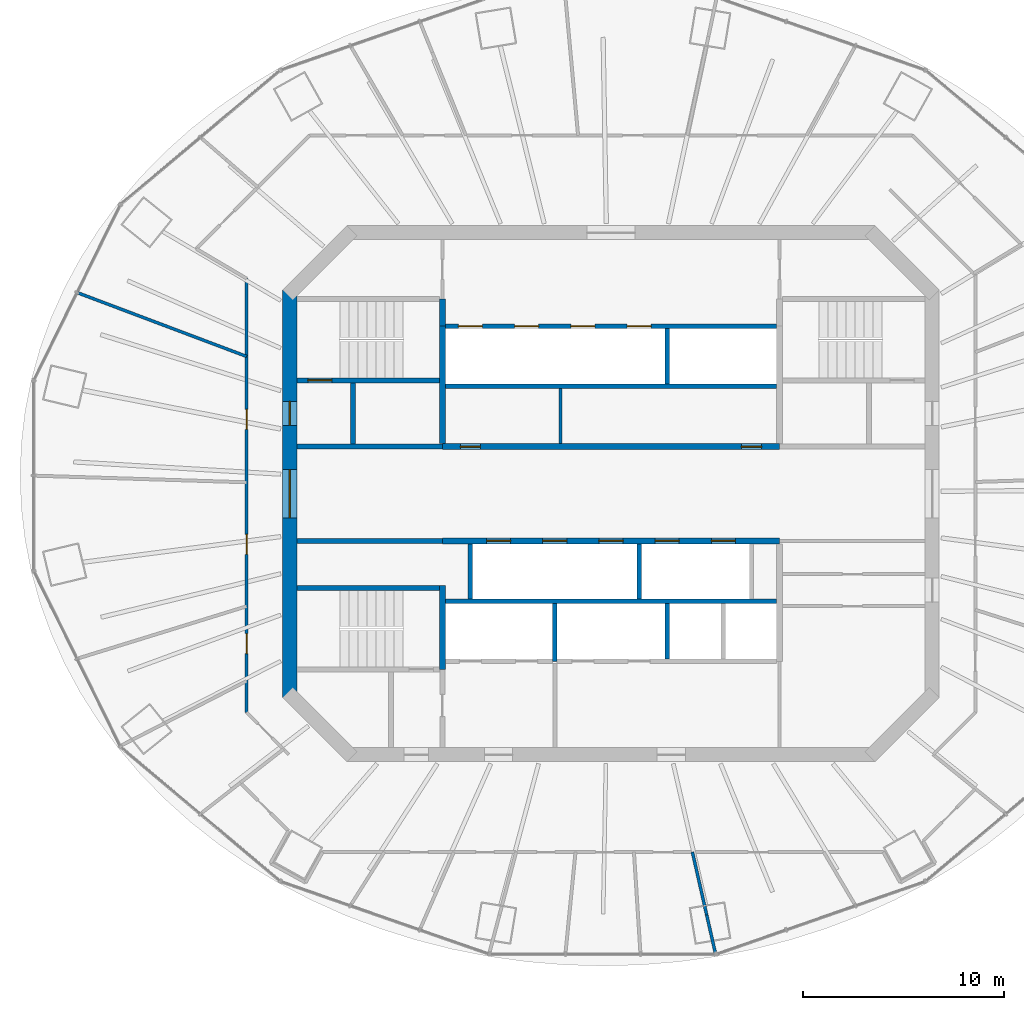
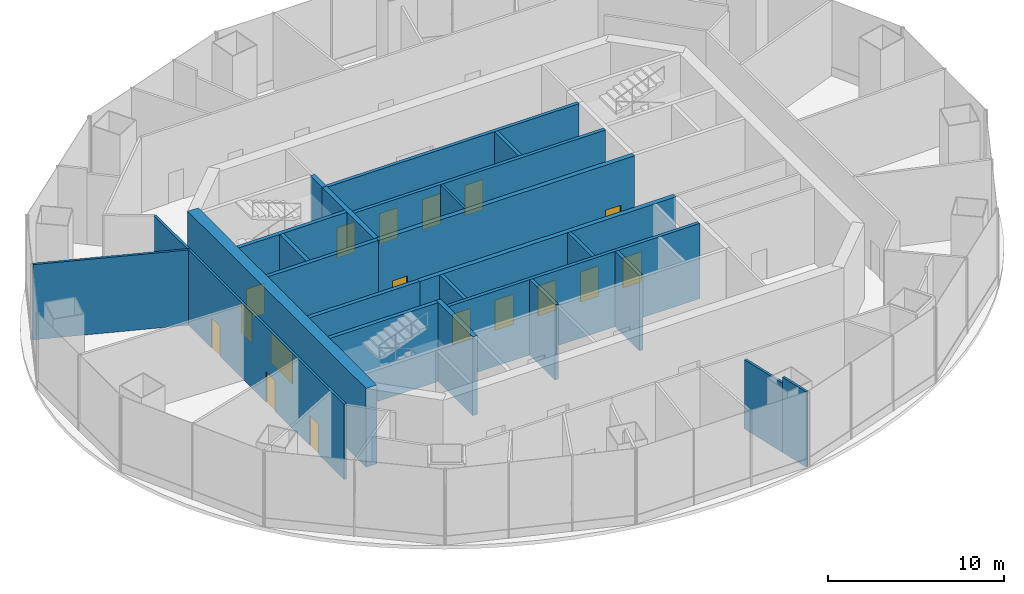
# One storey, part 9 of 12: 24 walls, 17 doors, 17 openings.
"""IFC4 building model written with IfcOpenShell, lengths in metres."""

from ifc_helpers import new_model, si_unit, direction, frame, frame_2d, origin, place, context, subcontext, project, spatial, rectangle, extrude, material, layer, layer_set, type_object, element, fill, save


model = new_model("IFC4")

# Units and contexts
model_context = context("Model", 3, precision=1e-05, world=origin(), true_north=direction((0.0, 1.0)))
body_context = subcontext(model_context, "Body", "Model", "MODEL_VIEW")
ifc_project = project(units=[si_unit("LENGTHUNIT", "METRE"), si_unit("AREAUNIT", "SQUARE_METRE"), si_unit("VOLUMEUNIT", "CUBIC_METRE"), si_unit("PLANEANGLEUNIT", "RADIAN"), si_unit("MASSUNIT", "GRAM", prefix="KILO")], contexts=[model_context])

# Site, building, storey
site_placement = place(None, origin())
site = spatial("IfcSite", under=ifc_project, at=site_placement, CompositionType="ELEMENT")
building_placement = place(site_placement, origin())
building = spatial("IfcBuilding", under=site, at=building_placement, Name="Marenthal Gate Tower", CompositionType="ELEMENT")
storey_placement = place(building_placement, frame((0.0, 0.0, 279.10009765625)))
storey = spatial("IfcBuildingStorey", under=building, at=storey_placement, Name="L62", CompositionType="ELEMENT", Elevation=279.10009765625)

# Wall, openings, doors
ifc_material_1 = material(Name="Concrete 60 MPa", Category="concrete")
ifc_layer_1 = layer(ifc_material_1, 0.699951171875)
ifc_layer_set_1 = layer_set([ifc_layer_1], Name="Core shear wall 700")
wall_type_1 = type_object("IfcWallType", Name="Core shear wall 700", PredefinedType="SHEAR", material=ifc_layer_set_1)
wall_1_placement = place(storey_placement, frame((-16.0, 10.14501953125, -0.25), z_axis=(0.0, 0.0, 1.0), x_axis=(0.0, -1.0, 0.0)))
wall_1 = element("IfcWall", 1, at=wall_1_placement, inside=storey, type_object=wall_type_1, Name="Core wall 06", PredefinedType="SHEAR", context=body_context, shape_type="SweptSolid", body=[
    extrude(rectangle(XDim=20.2900390625, YDim=0.699951171875, at=frame_2d((10.14501953125, 0.0))), origin(), (0.0, 0.0, 1.0), 5.469970703125),
])
opening_1_placement = place(wall_1_placement, frame((8.945068359375, 0.0, 0.25)))
opening_1 = element("IfcOpeningElement", 2, at=opening_1_placement, cuts=wall_1, Name="Opening D003.01", PredefinedType="OPENING", context=body_context, shape_type="SweptSolid", body=[
    extrude(rectangle(XDim=2.39990234375, YDim=2.10009765625, at=frame_2d((1.199951171875, 1.050048828125))), frame((0.0, 0.35986328125, 0.0), z_axis=(0.0, -1.0, 0.0), x_axis=(1.0, 0.0, 0.0)), (0.0, 0.0, 1.0), 0.719970703125),
])
opening_2_placement = place(wall_1_placement, frame((5.544921875, 0.0, 0.25)))
opening_2 = element("IfcOpeningElement", 3, at=opening_2_placement, cuts=wall_1, Name="Opening D001.04", PredefinedType="OPENING", context=body_context, shape_type="SweptSolid", body=[
    extrude(rectangle(XDim=1.199951171875, YDim=2.10009765625, at=frame_2d((0.60009765625, 1.050048828125))), frame((0.0, 0.35986328125, 0.0), z_axis=(0.0, -1.0, 0.0), x_axis=(1.0, 0.0, 0.0)), (0.0, 0.0, 1.0), 0.719970703125),
])
ifc_material_2 = material(Name="Steel fire door", Category="steel")
door_type_1 = type_object("IfcDoorType", Name="Double fire door FD 45 2400 x 2100", OperationType="DOUBLE_DOOR_SINGLE_SWING", PredefinedType="DOOR", material=ifc_material_2)
door_1_placement = place(opening_1_placement, origin())
door_1 = element("IfcDoor", 4, at=door_1_placement, inside=storey, type_object=door_type_1, Name="Door D003.01", OperationType="DOUBLE_DOOR_SINGLE_SWING", OverallHeight=2.10009765625, OverallWidth=2.39990234375, PredefinedType="DOOR", context=body_context, shape_type="SweptSolid", body=[
    extrude(rectangle(XDim=2.39990234375, YDim=2.10009765625, at=frame_2d((1.199951171875, 1.050048828125))), frame((0.0, 0.02490234375, 0.0), z_axis=(0.0, -1.0, 0.0), x_axis=(1.0, 0.0, 0.0)), (0.0, 0.0, 1.0), 0.050048828125),
])
fill(opening_1, door_1)
ifc_material_3 = material(Name="Steel fire door", Category="steel")
door_type_2 = type_object("IfcDoorType", Name="Fire door FD 90 1200 x 2100", OperationType="NOTDEFINED", PredefinedType="DOOR", material=ifc_material_3)
door_2_placement = place(opening_2_placement, origin())
door_2 = element("IfcDoor", 5, at=door_2_placement, inside=storey, type_object=door_type_2, Name="Door D001.04", OperationType="SINGLE_SWING_RIGHT", OverallHeight=2.10009765625, OverallWidth=1.199951171875, PredefinedType="DOOR", context=body_context, shape_type="SweptSolid", body=[
    extrude(rectangle(XDim=1.199951171875, YDim=2.10009765625, at=frame_2d((0.60009765625, 1.050048828125))), frame((0.0, 0.02490234375, 0.0), z_axis=(0.0, -1.0, 0.0), x_axis=(1.0, 0.0, 0.0)), (0.0, 0.0, 1.0), 0.050048828125),
])
fill(opening_2, door_2)

ifc_material_4 = material(Name="Concrete 50 MPa", Category="concrete")
ifc_layer_2 = layer(ifc_material_4, 0.300048828125)
ifc_layer_set_2 = layer_set([ifc_layer_2], Name="Hoistway shear wall 300")
wall_type_2 = type_object("IfcWallType", Name="Hoistway shear wall 300", PredefinedType="SHEAR", material=ifc_layer_set_2)
wall_2_placement = place(storey_placement, frame((-8.39990234375, -2.35009765625, -0.25), z_axis=(0.0, 0.0, 1.0), x_axis=(1.0, 0.0, 0.0)))
wall_2 = element("IfcWall", 6, at=wall_2_placement, inside=storey, type_object=wall_type_2, Name="Hoistway wall 17", PredefinedType="SHEAR", context=body_context, shape_type="SweptSolid", body=[
    extrude(rectangle(XDim=16.7998046875, YDim=0.300048828125, at=frame_2d((8.39990234375, 0.0))), origin(), (0.0, 0.0, 1.0), 5.469970703125),
])
opening_3_placement = place(wall_2_placement, frame((2.199951171875, 0.0, 0.25)))
opening_3 = element("IfcOpeningElement", 7, at=opening_3_placement, cuts=wall_2, Name="Opening LD-HP1", PredefinedType="OPENING", context=body_context, shape_type="SweptSolid", body=[
    extrude(rectangle(XDim=1.199951171875, YDim=2.10009765625, at=frame_2d((0.60009765625, 1.050048828125))), frame((0.0, 0.16015625, 0.0), z_axis=(0.0, -1.0, 0.0), x_axis=(1.0, 0.0, 0.0)), (0.0, 0.0, 1.0), 0.320068359375),
])
opening_4_placement = place(wall_2_placement, frame((5.0, 0.0, 0.25)))
opening_4 = element("IfcOpeningElement", 8, at=opening_4_placement, cuts=wall_2, Name="Opening LD-HP2", PredefinedType="OPENING", context=body_context, shape_type="SweptSolid", body=[
    extrude(rectangle(XDim=1.199951171875, YDim=2.10009765625, at=frame_2d((0.60009765625, 1.050048828125))), frame((0.0, 0.16015625, 0.0), z_axis=(0.0, -1.0, 0.0), x_axis=(1.0, 0.0, 0.0)), (0.0, 0.0, 1.0), 0.320068359375),
])
opening_5_placement = place(wall_2_placement, frame((7.800048828125, 0.0, 0.25)))
opening_5 = element("IfcOpeningElement", 9, at=opening_5_placement, cuts=wall_2, Name="Opening LD-HP3", PredefinedType="OPENING", context=body_context, shape_type="SweptSolid", body=[
    extrude(rectangle(XDim=1.199951171875, YDim=2.10009765625, at=frame_2d((0.60009765625, 1.050048828125))), frame((0.0, 0.16015625, 0.0), z_axis=(0.0, -1.0, 0.0), x_axis=(1.0, 0.0, 0.0)), (0.0, 0.0, 1.0), 0.320068359375),
])
opening_6_placement = place(wall_2_placement, frame((10.60009765625, 0.0, 0.25)))
opening_6 = element("IfcOpeningElement", 10, at=opening_6_placement, cuts=wall_2, Name="Opening LD-HP4", PredefinedType="OPENING", context=body_context, shape_type="SweptSolid", body=[
    extrude(rectangle(XDim=1.199951171875, YDim=2.10009765625, at=frame_2d((0.60009765625, 1.050048828125))), frame((0.0, 0.16015625, 0.0), z_axis=(0.0, -1.0, 0.0), x_axis=(1.0, 0.0, 0.0)), (0.0, 0.0, 1.0), 0.320068359375),
])
opening_7_placement = place(wall_2_placement, frame((13.39990234375, 0.0, 0.25)))
opening_7 = element("IfcOpeningElement", 11, at=opening_7_placement, cuts=wall_2, Name="Opening LD-HP5", PredefinedType="OPENING", context=body_context, shape_type="SweptSolid", body=[
    extrude(rectangle(XDim=1.199951171875, YDim=2.10009765625, at=frame_2d((0.60009765625, 1.050048828125))), frame((0.0, 0.16015625, 0.0), z_axis=(0.0, -1.0, 0.0), x_axis=(1.0, 0.0, 0.0)), (0.0, 0.0, 1.0), 0.320068359375),
])
ifc_material_5 = material(Name="Stainless steel sliding door", Category="steel")
door_type_3 = type_object("IfcDoorType", Name="Lift landing door FD 90 1200 x 2100", OperationType="DOUBLE_DOOR_SLIDING", PredefinedType="DOOR", material=ifc_material_5)
door_3_placement = place(opening_3_placement, origin())
door_3 = element("IfcDoor", 12, at=door_3_placement, inside=storey, type_object=door_type_3, Name="Lift landing door HP1", OperationType="DOUBLE_DOOR_SLIDING", OverallHeight=2.10009765625, OverallWidth=1.199951171875, PredefinedType="DOOR", context=body_context, shape_type="SweptSolid", body=[
    extrude(rectangle(XDim=1.199951171875, YDim=2.10009765625, at=frame_2d((0.60009765625, 1.050048828125))), frame((0.0, 0.02490234375, 0.0), z_axis=(0.0, -1.0, 0.0), x_axis=(1.0, 0.0, 0.0)), (0.0, 0.0, 1.0), 0.050048828125),
])
fill(opening_3, door_3)
door_4_placement = place(opening_4_placement, origin())
door_4 = element("IfcDoor", 13, at=door_4_placement, inside=storey, type_object=door_type_3, Name="Lift landing door HP2", OperationType="DOUBLE_DOOR_SLIDING", OverallHeight=2.10009765625, OverallWidth=1.199951171875, PredefinedType="DOOR", context=body_context, shape_type="SweptSolid", body=[
    extrude(rectangle(XDim=1.199951171875, YDim=2.10009765625, at=frame_2d((0.60009765625, 1.050048828125))), frame((0.0, 0.02490234375, 0.0), z_axis=(0.0, -1.0, 0.0), x_axis=(1.0, 0.0, 0.0)), (0.0, 0.0, 1.0), 0.050048828125),
])
fill(opening_4, door_4)
door_5_placement = place(opening_5_placement, origin())
door_5 = element("IfcDoor", 14, at=door_5_placement, inside=storey, type_object=door_type_3, Name="Lift landing door HP3", OperationType="DOUBLE_DOOR_SLIDING", OverallHeight=2.10009765625, OverallWidth=1.199951171875, PredefinedType="DOOR", context=body_context, shape_type="SweptSolid", body=[
    extrude(rectangle(XDim=1.199951171875, YDim=2.10009765625, at=frame_2d((0.60009765625, 1.050048828125))), frame((0.0, 0.02490234375, 0.0), z_axis=(0.0, -1.0, 0.0), x_axis=(1.0, 0.0, 0.0)), (0.0, 0.0, 1.0), 0.050048828125),
])
fill(opening_5, door_5)
door_6_placement = place(opening_6_placement, origin())
door_6 = element("IfcDoor", 15, at=door_6_placement, inside=storey, type_object=door_type_3, Name="Lift landing door HP4", OperationType="DOUBLE_DOOR_SLIDING", OverallHeight=2.10009765625, OverallWidth=1.199951171875, PredefinedType="DOOR", context=body_context, shape_type="SweptSolid", body=[
    extrude(rectangle(XDim=1.199951171875, YDim=2.10009765625, at=frame_2d((0.60009765625, 1.050048828125))), frame((0.0, 0.02490234375, 0.0), z_axis=(0.0, -1.0, 0.0), x_axis=(1.0, 0.0, 0.0)), (0.0, 0.0, 1.0), 0.050048828125),
])
fill(opening_6, door_6)
door_7_placement = place(opening_7_placement, origin())
door_7 = element("IfcDoor", 16, at=door_7_placement, inside=storey, type_object=door_type_3, Name="Lift landing door HP5", OperationType="DOUBLE_DOOR_SLIDING", OverallHeight=2.10009765625, OverallWidth=1.199951171875, PredefinedType="DOOR", context=body_context, shape_type="SweptSolid", body=[
    extrude(rectangle(XDim=1.199951171875, YDim=2.10009765625, at=frame_2d((0.60009765625, 1.050048828125))), frame((0.0, 0.02490234375, 0.0), z_axis=(0.0, -1.0, 0.0), x_axis=(1.0, 0.0, 0.0)), (0.0, 0.0, 1.0), 0.050048828125),
])
fill(opening_7, door_7)

wall_3_placement = place(storey_placement, frame((-8.39990234375, 2.35009765625, -0.25), z_axis=(0.0, 0.0, 1.0), x_axis=(1.0, 0.0, 0.0)))
wall_3 = element("IfcWall", 17, at=wall_3_placement, inside=storey, type_object=wall_type_2, Name="Hoistway wall 20", PredefinedType="SHEAR", context=body_context, shape_type="SweptSolid", body=[
    extrude(rectangle(XDim=16.7998046875, YDim=0.300048828125, at=frame_2d((8.39990234375, 0.0))), origin(), (0.0, 0.0, 1.0), 5.469970703125),
])
opening_8_placement = place(wall_3_placement, frame((0.89990234375, 0.0, 0.25)))
opening_8 = element("IfcOpeningElement", 18, at=opening_8_placement, cuts=wall_3, Name="Opening D005.01", PredefinedType="OPENING", context=body_context, shape_type="SweptSolid", body=[
    extrude(rectangle(XDim=1.0, YDim=2.10009765625, at=frame_2d((0.5, 1.050048828125))), frame((0.0, 0.16015625, 0.0), z_axis=(0.0, -1.0, 0.0), x_axis=(1.0, 0.0, 0.0)), (0.0, 0.0, 1.0), 0.320068359375),
])
opening_9_placement = place(wall_3_placement, frame((14.89990234375, 0.0, 0.25)))
opening_9 = element("IfcOpeningElement", 19, at=opening_9_placement, cuts=wall_3, Name="Opening D005.02", PredefinedType="OPENING", context=body_context, shape_type="SweptSolid", body=[
    extrude(rectangle(XDim=1.0, YDim=2.10009765625, at=frame_2d((0.5, 1.050048828125))), frame((0.0, 0.16015625, 0.0), z_axis=(0.0, -1.0, 0.0), x_axis=(1.0, 0.0, 0.0)), (0.0, 0.0, 1.0), 0.320068359375),
])
ifc_material_6 = material(Name="Steel fire door", Category="steel")
door_type_4 = type_object("IfcDoorType", Name="Fire door FD 45 1000 x 2100", OperationType="NOTDEFINED", PredefinedType="DOOR", material=ifc_material_6)
door_8_placement = place(opening_8_placement, origin())
door_8 = element("IfcDoor", 20, at=door_8_placement, inside=storey, type_object=door_type_4, Name="Door D005.01", OperationType="SINGLE_SWING_RIGHT", OverallHeight=2.10009765625, OverallWidth=1.0, PredefinedType="DOOR", context=body_context, shape_type="SweptSolid", body=[
    extrude(rectangle(XDim=1.0, YDim=2.10009765625, at=frame_2d((0.5, 1.050048828125))), frame((0.0, 0.02490234375, 0.0), z_axis=(0.0, -1.0, 0.0), x_axis=(1.0, 0.0, 0.0)), (0.0, 0.0, 1.0), 0.050048828125),
])
fill(opening_8, door_8)
door_9_placement = place(opening_9_placement, origin())
door_9 = element("IfcDoor", 21, at=door_9_placement, inside=storey, type_object=door_type_4, Name="Door D005.02", OperationType="SINGLE_SWING_RIGHT", OverallHeight=2.10009765625, OverallWidth=1.0, PredefinedType="DOOR", context=body_context, shape_type="SweptSolid", body=[
    extrude(rectangle(XDim=1.0, YDim=2.10009765625, at=frame_2d((0.5, 1.050048828125))), frame((0.0, 0.02490234375, 0.0), z_axis=(0.0, -1.0, 0.0), x_axis=(1.0, 0.0, 0.0)), (0.0, 0.0, 1.0), 0.050048828125),
])
fill(opening_9, door_9)

# Walls
wall_4_placement = place(storey_placement, frame((-8.39990234375, -8.75, -0.25), z_axis=(0.0, 0.0, 1.0), x_axis=(0.0, 1.0, 0.0)))
element("IfcWall", 22, at=wall_4_placement, inside=storey, type_object=wall_type_2, Name="Hoistway wall 31", PredefinedType="SHEAR", context=body_context, shape_type="SweptSolid", body=[
    extrude(rectangle(XDim=4.175048828125, YDim=0.300048828125, at=frame_2d((2.08740234375, 0.0))), origin(), (0.0, 0.0, 1.0), 5.469970703125),
])
wall_5_placement = place(storey_placement, frame((-8.39990234375, 2.5, -0.25), z_axis=(0.0, 0.0, 1.0), x_axis=(0.0, 1.0, 0.0)))
element("IfcWall", 23, at=wall_5_placement, inside=storey, type_object=wall_type_2, Name="Hoistway wall 32", PredefinedType="SHEAR", context=body_context, shape_type="SweptSolid", body=[
    extrude(rectangle(XDim=5.85009765625, YDim=0.300048828125, at=frame_2d((2.925048828125, 0.0))), origin(), (0.0, 0.0, 1.0), 5.469970703125),
])
ifc_material_7 = material(Name="Concrete 40 MPa", Category="concrete")
ifc_layer_3 = layer(ifc_material_7, 0.219970703125)
ifc_layer_set_3 = layer_set([ifc_layer_3], Name="Hoistway wall 220")
wall_type_3 = type_object("IfcWallType", Name="Hoistway wall 220", PredefinedType="STANDARD", material=ifc_layer_set_3)
for number, where, z_axis, x_axis, name in (
    (24, (-8.25, -5.35009765625, 0.0), (0.0, 0.0, 1.0), (1.0, 0.0, 0.0), "Hoistway wall 13"),
    (25, (-8.25, 5.35009765625, 0.0), (0.0, 0.0, 1.0), (1.0, 0.0, 0.0), "Hoistway wall 22"),
):
    element("IfcWall", number, at=place(storey_placement, frame(where, z_axis=z_axis, x_axis=x_axis)), inside=storey, type_object=wall_type_3, Name=name, PredefinedType="STANDARD", context=body_context, shape_type="SweptSolid", body=[
        extrude(rectangle(XDim=16.5, YDim=0.219970703125, at=frame_2d((8.25, 0.0))), origin(), (0.0, 0.0, 1.0), 5.219970703125),
    ])

# Wall, openings, doors
wall_6_placement = place(storey_placement, frame((-8.25, 8.35009765625, 0.0), z_axis=(0.0, 0.0, 1.0), x_axis=(1.0, 0.0, 0.0)))
wall_6 = element("IfcWall", 26, at=wall_6_placement, inside=storey, type_object=wall_type_3, Name="Hoistway wall 25", PredefinedType="STANDARD", context=body_context, shape_type="SweptSolid", body=[
    extrude(rectangle(XDim=16.5, YDim=0.219970703125, at=frame_2d((8.25, 0.0))), origin(), (0.0, 0.0, 1.0), 5.219970703125),
])
opening_10_placement = place(wall_6_placement, frame((0.64990234375, 0.0, 0.0)))
opening_10 = element("IfcOpeningElement", 27, at=opening_10_placement, cuts=wall_6, Name="Opening LD-SH1", PredefinedType="OPENING", context=body_context, shape_type="SweptSolid", body=[
    extrude(rectangle(XDim=1.199951171875, YDim=2.10009765625, at=frame_2d((0.60009765625, 1.050048828125))), frame((0.0, 0.1201171875, 0.0), z_axis=(0.0, -1.0, 0.0), x_axis=(1.0, 0.0, 0.0)), (0.0, 0.0, 1.0), 0.239990234375),
])
opening_11_placement = place(wall_6_placement, frame((3.449951171875, 0.0, 0.0)))
opening_11 = element("IfcOpeningElement", 28, at=opening_11_placement, cuts=wall_6, Name="Opening LD-SH2", PredefinedType="OPENING", context=body_context, shape_type="SweptSolid", body=[
    extrude(rectangle(XDim=1.199951171875, YDim=2.10009765625, at=frame_2d((0.60009765625, 1.050048828125))), frame((0.0, 0.1201171875, 0.0), z_axis=(0.0, -1.0, 0.0), x_axis=(1.0, 0.0, 0.0)), (0.0, 0.0, 1.0), 0.239990234375),
])
opening_12_placement = place(wall_6_placement, frame((6.25, 0.0, 0.0)))
opening_12 = element("IfcOpeningElement", 29, at=opening_12_placement, cuts=wall_6, Name="Opening LD-SH3", PredefinedType="OPENING", context=body_context, shape_type="SweptSolid", body=[
    extrude(rectangle(XDim=1.199951171875, YDim=2.10009765625, at=frame_2d((0.60009765625, 1.050048828125))), frame((0.0, 0.1201171875, 0.0), z_axis=(0.0, -1.0, 0.0), x_axis=(1.0, 0.0, 0.0)), (0.0, 0.0, 1.0), 0.239990234375),
])
opening_13_placement = place(wall_6_placement, frame((9.050048828125, 0.0, 0.0)))
opening_13 = element("IfcOpeningElement", 30, at=opening_13_placement, cuts=wall_6, Name="Opening LD-SH4", PredefinedType="OPENING", context=body_context, shape_type="SweptSolid", body=[
    extrude(rectangle(XDim=1.199951171875, YDim=2.10009765625, at=frame_2d((0.60009765625, 1.050048828125))), frame((0.0, 0.1201171875, 0.0), z_axis=(0.0, -1.0, 0.0), x_axis=(1.0, 0.0, 0.0)), (0.0, 0.0, 1.0), 0.239990234375),
])
door_10_placement = place(opening_10_placement, origin())
door_10 = element("IfcDoor", 31, at=door_10_placement, inside=storey, type_object=door_type_3, Name="Lift landing door SH1", OperationType="DOUBLE_DOOR_SLIDING", OverallHeight=2.10009765625, OverallWidth=1.199951171875, PredefinedType="DOOR", context=body_context, shape_type="SweptSolid", body=[
    extrude(rectangle(XDim=1.199951171875, YDim=2.10009765625, at=frame_2d((0.60009765625, 1.050048828125))), frame((0.0, 0.02490234375, 0.0), z_axis=(0.0, -1.0, 0.0), x_axis=(1.0, 0.0, 0.0)), (0.0, 0.0, 1.0), 0.050048828125),
])
fill(opening_10, door_10)
door_11_placement = place(opening_11_placement, origin())
door_11 = element("IfcDoor", 32, at=door_11_placement, inside=storey, type_object=door_type_3, Name="Lift landing door SH2", OperationType="DOUBLE_DOOR_SLIDING", OverallHeight=2.10009765625, OverallWidth=1.199951171875, PredefinedType="DOOR", context=body_context, shape_type="SweptSolid", body=[
    extrude(rectangle(XDim=1.199951171875, YDim=2.10009765625, at=frame_2d((0.60009765625, 1.050048828125))), frame((0.0, 0.02490234375, 0.0), z_axis=(0.0, -1.0, 0.0), x_axis=(1.0, 0.0, 0.0)), (0.0, 0.0, 1.0), 0.050048828125),
])
fill(opening_11, door_11)
door_12_placement = place(opening_12_placement, origin())
door_12 = element("IfcDoor", 33, at=door_12_placement, inside=storey, type_object=door_type_3, Name="Lift landing door SH3", OperationType="DOUBLE_DOOR_SLIDING", OverallHeight=2.10009765625, OverallWidth=1.199951171875, PredefinedType="DOOR", context=body_context, shape_type="SweptSolid", body=[
    extrude(rectangle(XDim=1.199951171875, YDim=2.10009765625, at=frame_2d((0.60009765625, 1.050048828125))), frame((0.0, 0.02490234375, 0.0), z_axis=(0.0, -1.0, 0.0), x_axis=(1.0, 0.0, 0.0)), (0.0, 0.0, 1.0), 0.050048828125),
])
fill(opening_12, door_12)
door_13_placement = place(opening_13_placement, origin())
door_13 = element("IfcDoor", 34, at=door_13_placement, inside=storey, type_object=door_type_3, Name="Lift landing door SH4", OperationType="DOUBLE_DOOR_SLIDING", OverallHeight=2.10009765625, OverallWidth=1.199951171875, PredefinedType="DOOR", context=body_context, shape_type="SweptSolid", body=[
    extrude(rectangle(XDim=1.199951171875, YDim=2.10009765625, at=frame_2d((0.60009765625, 1.050048828125))), frame((0.0, 0.02490234375, 0.0), z_axis=(0.0, -1.0, 0.0), x_axis=(1.0, 0.0, 0.0)), (0.0, 0.0, 1.0), 0.050048828125),
])
fill(opening_13, door_13)

# Walls
wall_7_placement = place(storey_placement, frame((-7.0, -5.239990234375, 0.0), z_axis=(0.0, 0.0, 1.0), x_axis=(0.0, 1.0, 0.0)))
element("IfcWall", 35, at=wall_7_placement, inside=storey, type_object=wall_type_3, Name="Hoistway wall 35", PredefinedType="STANDARD", context=body_context, shape_type="SweptSolid", body=[
    extrude(rectangle(XDim=2.739990234375, YDim=0.219970703125, at=frame_2d((1.3701171875, 0.0))), origin(), (0.0, 0.0, 1.0), 5.219970703125),
])
wall_8_placement = place(storey_placement, frame((-2.800048828125, -8.35009765625, 0.0), z_axis=(0.0, 0.0, 1.0), x_axis=(0.0, 1.0, 0.0)))
element("IfcWall", 36, at=wall_8_placement, inside=storey, type_object=wall_type_3, Name="Hoistway wall 37", PredefinedType="STANDARD", context=body_context, shape_type="SweptSolid", body=[
    extrude(rectangle(XDim=2.89013671875, YDim=0.219970703125, at=frame_2d((1.445068359375, 0.0))), origin(), (0.0, 0.0, 1.0), 5.219970703125),
])
wall_9_placement = place(storey_placement, frame((1.39990234375, -5.239990234375, 0.0), z_axis=(0.0, 0.0, 1.0), x_axis=(0.0, 1.0, 0.0)))
element("IfcWall", 37, at=wall_9_placement, inside=storey, type_object=wall_type_3, Name="Hoistway wall 39", PredefinedType="STANDARD", context=body_context, shape_type="SweptSolid", body=[
    extrude(rectangle(XDim=2.739990234375, YDim=0.219970703125, at=frame_2d((1.3701171875, 0.0))), origin(), (0.0, 0.0, 1.0), 5.219970703125),
])
for number, where, z_axis, x_axis, name in (
    (38, (2.800048828125, -8.239990234375, 0.0), (0.0, 0.0, 1.0), (0.0, 1.0, 0.0), "Hoistway wall 40"),
    (39, (2.800048828125, 5.4599609375, 0.0), (0.0, 0.0, 1.0), (0.0, 1.0, 0.0), "Hoistway wall 41"),
):
    element("IfcWall", number, at=place(storey_placement, frame(where, z_axis=z_axis, x_axis=x_axis)), inside=storey, type_object=wall_type_3, Name=name, PredefinedType="STANDARD", context=body_context, shape_type="SweptSolid", body=[
        extrude(rectangle(XDim=2.780029296875, YDim=0.219970703125, at=frame_2d((1.39013671875, 0.0))), origin(), (0.0, 0.0, 1.0), 5.219970703125),
    ])
ifc_material_8 = material(Name="Gypsum board on steel studs", Category="steel")
ifc_layer_4 = layer(ifc_material_8, 0.14990234375)
ifc_layer_set_4 = layer_set([ifc_layer_4], Name="Partition 150")
wall_type_4 = type_object("IfcWallType", Name="Partition 150", PredefinedType="PARTITIONING", material=ifc_layer_set_4)
wall_10_placement = place(storey_placement, frame((-2.52001953125, 2.5, 0.0), z_axis=(0.0, 0.0, 1.0), x_axis=(0.0, 1.0, 0.0)))
element("IfcWall", 40, at=wall_10_placement, inside=storey, type_object=wall_type_4, Name="Partition wall 38", PredefinedType="PARTITIONING", context=body_context, shape_type="SweptSolid", body=[
    extrude(rectangle(XDim=2.739990234375, YDim=0.14990234375, at=frame_2d((1.3701171875, 0.0))), origin(), (0.0, 0.0, 1.0), 5.219970703125),
])

# Wall, openings, doors
wall_11_placement = place(storey_placement, frame((-18.14990234375, -10.890625, 0.0), z_axis=(0.0, 0.0, 1.0), x_axis=(0.0, 1.0, 0.0)))
wall_11 = element("IfcWall", 41, at=wall_11_placement, inside=storey, type_object=wall_type_4, Name="Partition wall 66", PredefinedType="PARTITIONING", context=body_context, shape_type="SweptSolid", body=[
    extrude(rectangle(XDim=21.6142578125, YDim=0.14990234375, at=frame_2d((10.80712890625, 0.0))), origin(), (0.0, 0.0, 1.0), 5.219970703125),
])
opening_14_placement = place(wall_11_placement, frame((14.09326171875, 0.0, 0.0)))
opening_14 = element("IfcOpeningElement", 42, at=opening_14_placement, cuts=wall_11, Name="Opening D012.08", PredefinedType="OPENING", context=body_context, shape_type="SweptSolid", body=[
    extrude(rectangle(XDim=1.0, YDim=2.10009765625, at=frame_2d((0.5, 1.050048828125))), frame((0.0, 0.0849609375, 0.0), z_axis=(0.0, -1.0, 0.0), x_axis=(1.0, 0.0, 0.0)), (0.0, 0.0, 1.0), 0.169921875),
])
opening_15_placement = place(wall_11_placement, frame((7.8701171875, 0.0, 0.0)))
opening_15 = element("IfcOpeningElement", 43, at=opening_15_placement, cuts=wall_11, Name="Opening D012.09", PredefinedType="OPENING", context=body_context, shape_type="SweptSolid", body=[
    extrude(rectangle(XDim=1.0, YDim=2.10009765625, at=frame_2d((0.5, 1.050048828125))), frame((0.0, 0.0849609375, 0.0), z_axis=(0.0, -1.0, 0.0), x_axis=(1.0, 0.0, 0.0)), (0.0, 0.0, 1.0), 0.169921875),
])
opening_16_placement = place(wall_11_placement, frame((2.919921875, 0.0, 0.0)))
opening_16 = element("IfcOpeningElement", 44, at=opening_16_placement, cuts=wall_11, Name="Opening D012.10", PredefinedType="OPENING", context=body_context, shape_type="SweptSolid", body=[
    extrude(rectangle(XDim=1.0, YDim=2.10009765625, at=frame_2d((0.5, 1.050048828125))), frame((0.0, 0.0849609375, 0.0), z_axis=(0.0, -1.0, 0.0), x_axis=(1.0, 0.0, 0.0)), (0.0, 0.0, 1.0), 0.169921875),
])
ifc_material_9 = material(Name="Timber door", Category="wood")
door_type_5 = type_object("IfcDoorType", Name="Door 1000 x 2100", OperationType="NOTDEFINED", PredefinedType="DOOR", material=ifc_material_9)
door_14_placement = place(opening_14_placement, origin())
door_14 = element("IfcDoor", 45, at=door_14_placement, inside=storey, type_object=door_type_5, Name="Door D012.08", OperationType="SINGLE_SWING_RIGHT", OverallHeight=2.10009765625, OverallWidth=1.0, PredefinedType="DOOR", context=body_context, shape_type="SweptSolid", body=[
    extrude(rectangle(XDim=1.0, YDim=2.10009765625, at=frame_2d((0.5, 1.050048828125))), frame((0.0, 0.02490234375, 0.0), z_axis=(0.0, -1.0, 0.0), x_axis=(1.0, 0.0, 0.0)), (0.0, 0.0, 1.0), 0.050048828125),
])
fill(opening_14, door_14)
door_15_placement = place(opening_15_placement, origin())
door_15 = element("IfcDoor", 46, at=door_15_placement, inside=storey, type_object=door_type_5, Name="Door D012.09", OperationType="SINGLE_SWING_RIGHT", OverallHeight=2.10009765625, OverallWidth=1.0, PredefinedType="DOOR", context=body_context, shape_type="SweptSolid", body=[
    extrude(rectangle(XDim=1.0, YDim=2.10009765625, at=frame_2d((0.5, 1.050048828125))), frame((0.0, 0.02490234375, 0.0), z_axis=(0.0, -1.0, 0.0), x_axis=(1.0, 0.0, 0.0)), (0.0, 0.0, 1.0), 0.050048828125),
])
fill(opening_15, door_15)
door_16_placement = place(opening_16_placement, origin())
door_16 = element("IfcDoor", 47, at=door_16_placement, inside=storey, type_object=door_type_5, Name="Door D012.10", OperationType="SINGLE_SWING_RIGHT", OverallHeight=2.10009765625, OverallWidth=1.0, PredefinedType="DOOR", context=body_context, shape_type="SweptSolid", body=[
    extrude(rectangle(XDim=1.0, YDim=2.10009765625, at=frame_2d((0.5, 1.050048828125))), frame((0.0, 0.02490234375, 0.0), z_axis=(0.0, -1.0, 0.0), x_axis=(1.0, 0.0, 0.0)), (0.0, 0.0, 1.0), 0.050048828125),
])
fill(opening_16, door_16)

# Walls
wall_12_placement = place(storey_placement, frame((5.20703125, -22.916015625, 0.0), z_axis=(0.0, 0.0, 1.0), x_axis=(-0.221605104311, 0.975136491853, 0.0)))
element("IfcWall", 48, at=wall_12_placement, inside=storey, type_object=wall_type_4, Name="Partition wall 69", PredefinedType="PARTITIONING", context=body_context, shape_type="SweptSolid", body=[
    extrude(rectangle(XDim=1.978759765625, YDim=0.14990234375, at=frame_2d((0.9892578125, 0.0))), origin(), (0.0, 0.0, 1.0), 5.219970703125),
])
wall_13_placement = place(storey_placement, frame((4.7685546875, -20.986572265625, 0.0), z_axis=(0.0, 0.0, 1.0), x_axis=(-0.221565330544, 0.975145529806, 0.0)))
element("IfcWall", 49, at=wall_13_placement, inside=storey, type_object=wall_type_4, Name="Partition wall 96", PredefinedType="PARTITIONING", context=body_context, shape_type="SweptSolid", body=[
    extrude(rectangle(XDim=3.21630859375, YDim=0.14990234375, at=frame_2d((1.608154296875, 0.0))), origin(), (0.0, 0.0, 1.0), 4.802978515625),
])
wall_14_placement = place(storey_placement, frame((-18.14990234375, 6.837158203125, 0.0), z_axis=(0.0, 0.0, 1.0), x_axis=(-0.935798247138, 0.352536013271, 0.0)))
element("IfcWall", 50, at=wall_14_placement, inside=storey, type_object=wall_type_4, Name="Partition wall 81", PredefinedType="PARTITIONING", context=body_context, shape_type="SweptSolid", body=[
    extrude(rectangle(XDim=9.01318359375, YDim=0.14990234375, at=frame_2d((4.506591796875, 0.0))), origin(), (0.0, 0.0, 1.0), 5.219970703125),
])
ifc_material_10 = material(Name="Concrete 40 MPa", Category="concrete")
ifc_layer_5 = layer(ifc_material_10, 0.25)
ifc_layer_set_5 = layer_set([ifc_layer_5], Name="Stair enclosure wall 250")
wall_type_5 = type_object("IfcWallType", Name="Stair enclosure wall 250", PredefinedType="STANDARD", material=ifc_layer_set_5)
for number, where, z_axis, x_axis, name in (
    (51, (-15.64990234375, -2.35009765625, 0.0), (0.0, 0.0, 1.0), (1.0, 0.0, 0.0), "Stair wall 16"),
    (52, (-15.64990234375, 2.35009765625, 0.0), (0.0, 0.0, 1.0), (1.0, 0.0, 0.0), "Stair wall 19"),
):
    element("IfcWall", number, at=place(storey_placement, frame(where, z_axis=z_axis, x_axis=x_axis)), inside=storey, type_object=wall_type_5, Name=name, PredefinedType="STANDARD", context=body_context, shape_type="SweptSolid", body=[
        extrude(rectangle(XDim=7.25, YDim=0.25, at=frame_2d((3.625, 0.0))), origin(), (0.0, 0.0, 1.0), 5.219970703125),
    ])
wall_15_placement = place(storey_placement, frame((-12.85009765625, 2.47509765625, 0.0), z_axis=(0.0, 0.0, 1.0), x_axis=(0.0, 1.0, 0.0)))
element("IfcWall", 53, at=wall_15_placement, inside=storey, type_object=wall_type_5, Name="Stair wall 28", PredefinedType="STANDARD", context=body_context, shape_type="SweptSolid", body=[
    extrude(rectangle(XDim=3.0498046875, YDim=0.25, at=frame_2d((1.52490234375, 0.0))), origin(), (0.0, 0.0, 1.0), 5.219970703125),
])
ifc_material_11 = material(Name="Concrete 50 MPa", Category="concrete")
ifc_layer_6 = layer(ifc_material_11, 0.25)
ifc_layer_set_6 = layer_set([ifc_layer_6], Name="Stair shear wall 250")
wall_type_6 = type_object("IfcWallType", Name="Stair shear wall 250", PredefinedType="SHEAR", material=ifc_layer_set_6)
wall_16_placement = place(storey_placement, frame((-15.64990234375, -4.699951171875, -0.25), z_axis=(0.0, 0.0, 1.0), x_axis=(1.0, 0.0, 0.0)))
element("IfcWall", 54, at=wall_16_placement, inside=storey, type_object=wall_type_6, Name="Stair wall 14", PredefinedType="SHEAR", context=body_context, shape_type="SweptSolid", body=[
    extrude(rectangle(XDim=7.099853515625, YDim=0.25, at=frame_2d((3.5498046875, 0.0))), origin(), (0.0, 0.0, 1.0), 5.469970703125),
])

# Wall, opening, door
wall_17_placement = place(storey_placement, frame((-15.64990234375, 5.64990234375, -0.25), z_axis=(0.0, 0.0, 1.0), x_axis=(1.0, 0.0, 0.0)))
wall_17 = element("IfcWall", 55, at=wall_17_placement, inside=storey, type_object=wall_type_6, Name="Stair wall 23", PredefinedType="SHEAR", context=body_context, shape_type="SweptSolid", body=[
    extrude(rectangle(XDim=7.099853515625, YDim=0.25, at=frame_2d((3.5498046875, 0.0))), origin(), (0.0, 0.0, 1.0), 5.469970703125),
])
opening_17_placement = place(wall_17_placement, frame((0.550048828125, 0.0, 0.25)))
opening_17 = element("IfcOpeningElement", 56, at=opening_17_placement, cuts=wall_17, Name="Opening D001.01", PredefinedType="OPENING", context=body_context, shape_type="SweptSolid", body=[
    extrude(rectangle(XDim=1.199951171875, YDim=2.10009765625, at=frame_2d((0.60009765625, 1.050048828125))), frame((0.0, 0.135009765625, 0.0), z_axis=(0.0, -1.0, 0.0), x_axis=(1.0, 0.0, 0.0)), (0.0, 0.0, 1.0), 0.27001953125),
])
door_17_placement = place(opening_17_placement, origin())
door_17 = element("IfcDoor", 57, at=door_17_placement, inside=storey, type_object=door_type_2, Name="Door D001.01", OperationType="SINGLE_SWING_RIGHT", OverallHeight=2.10009765625, OverallWidth=1.199951171875, PredefinedType="DOOR", context=body_context, shape_type="SweptSolid", body=[
    extrude(rectangle(XDim=1.199951171875, YDim=2.10009765625, at=frame_2d((0.60009765625, 1.050048828125))), frame((0.0, 0.02490234375, 0.0), z_axis=(0.0, -1.0, 0.0), x_axis=(1.0, 0.0, 0.0)), (0.0, 0.0, 1.0), 0.050048828125),
])
fill(opening_17, door_17)

# Wall
ifc_material_12 = material(Name="Concrete 50 MPa", Category="concrete")
ifc_layer_7 = layer(ifc_material_12, 0.300048828125)
ifc_layer_set_7 = layer_set([ifc_layer_7], Name="Stair shear wall 300")
wall_type_7 = type_object("IfcWallType", Name="Stair shear wall 300", PredefinedType="SHEAR", material=ifc_layer_set_7)
wall_18_placement = place(storey_placement, frame((-8.39990234375, 8.35009765625, -0.25), z_axis=(0.0, 0.0, 1.0), x_axis=(0.0, 1.0, 0.0)))
element("IfcWall", 58, at=wall_18_placement, inside=storey, type_object=wall_type_7, Name="Stair wall 33", PredefinedType="SHEAR", context=body_context, shape_type="SweptSolid", body=[
    extrude(rectangle(XDim=1.349853515625, YDim=0.300048828125, at=frame_2d((0.6748046875, 0.0))), origin(), (0.0, 0.0, 1.0), 5.469970703125),
])

save(model, "model.ifc")
